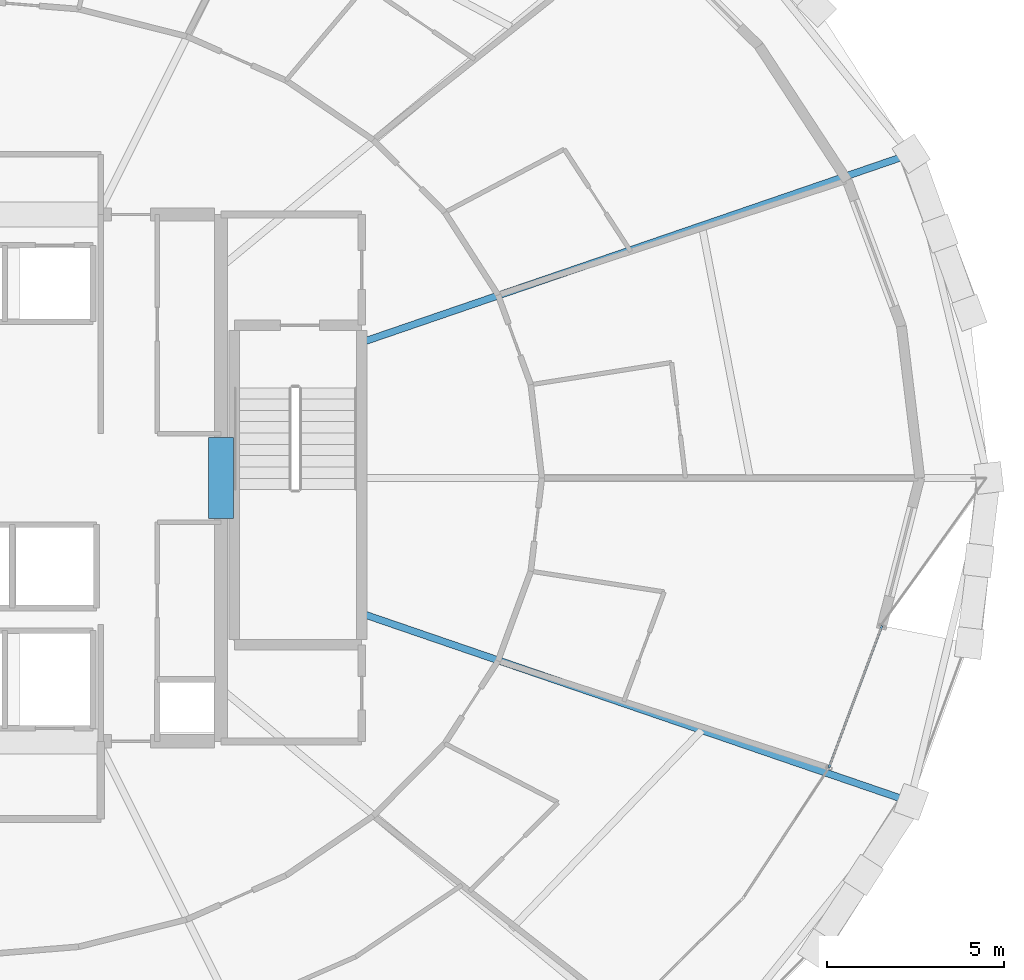
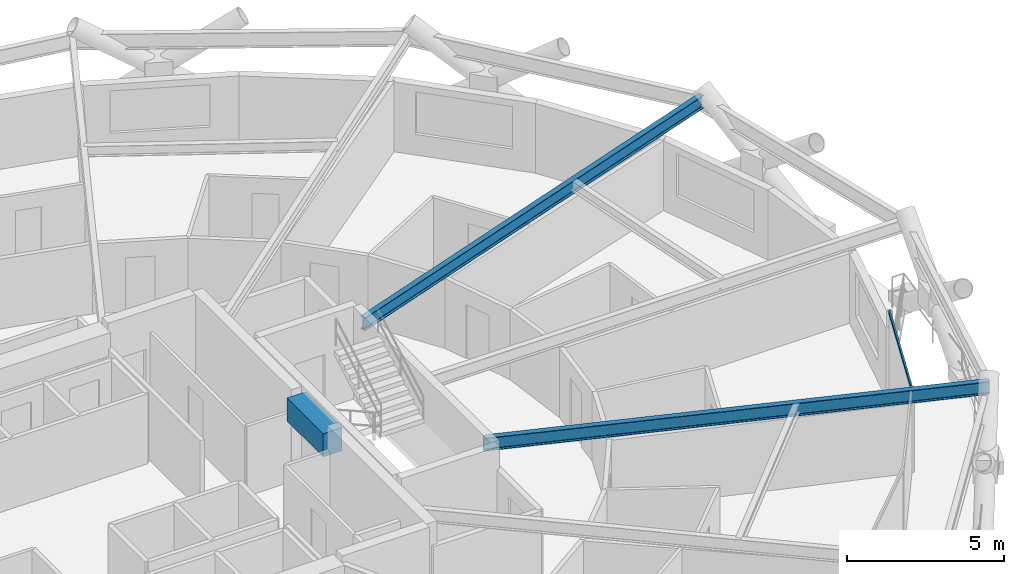
# One storey, part 10 of 21: 3 beams, 1 member, 1 element without a shape of its own.
"""IFC4 building model written with IfcOpenShell, lengths in metres."""

from ifc_helpers import new_model, si_unit, direction, frame, origin, origin_2d, place, context, subcontext, project, spatial, rectangle, hollow_rectangle, i_section, extrude, material, layer, layer_set, material_profile, profile_set, type_object, element, aggregate, save


model = new_model("IFC4")

# Units and contexts
model_context = context("Model", 3, precision=1e-05, world=origin(), true_north=direction((0.0, 1.0)))
body_context = subcontext(model_context, "Body", "Model", "MODEL_VIEW")
ifc_project = project(units=[si_unit("LENGTHUNIT", "METRE"), si_unit("AREAUNIT", "SQUARE_METRE"), si_unit("VOLUMEUNIT", "CUBIC_METRE"), si_unit("PLANEANGLEUNIT", "RADIAN"), si_unit("MASSUNIT", "GRAM", prefix="KILO")], contexts=[model_context])

# Site, building, storey
site_placement = place(None, origin())
site = spatial("IfcSite", under=ifc_project, at=site_placement, CompositionType="ELEMENT")
building_placement = place(site_placement, origin())
building = spatial("IfcBuilding", under=site, at=building_placement, Name="Veldorina Hangang Commons", CompositionType="ELEMENT")
storey_placement = place(building_placement, frame((0.0, 0.0, 91.60009765625)))
storey = spatial("IfcBuildingStorey", under=building, at=storey_placement, Name="L23", CompositionType="ELEMENT", Elevation=91.60009765625)

# Beams
ifc_material_1 = material(Name="Concrete C70/85", Category="concrete")
ifc_material_profile_1 = material_profile(ifc_material_1, rectangle(XDim=0.699951171875, YDim=0.89990234375, at=origin_2d()), Name="RC-CB-700x900")
ifc_profile_set_1 = profile_set([ifc_material_profile_1], Name="Concrete C70/85")
beam_type_1 = type_object("IfcBeamType", Name="BM-CB900", PredefinedType="LINTEL", material=ifc_profile_set_1)
beam_placement = place(storey_placement, frame((39.199951171875, 22.85009765625, 2.889892578125), z_axis=(0.0, 1.0, 0.0), x_axis=(-1.0, 0.0, 0.0)))
element("IfcBeam", 1, at=beam_placement, inside=storey, type_object=beam_type_1, Name="L23 E core coupling lintel beam", PredefinedType="LINTEL", context=body_context, shape_type="SweptSolid", body=[
    extrude(rectangle(XDim=0.699951171875, YDim=0.89990234375, at=origin_2d()), origin(), (0.0, 0.0, 1.0), 2.2998046875),
])
ifc_material_2 = material(Name="Steel SM420-TMC", Category="steel")
ifc_material_profile_2 = material_profile(ifc_material_2, i_section(OverallWidth=0.199951171875, OverallDepth=0.5, WebThickness=0.010009765625, FlangeThickness=0.01611328125, FilletRadius=0.01611328125, at=origin_2d()), Name="H-500x200x10x16")
ifc_profile_set_2 = profile_set([ifc_material_profile_2], Name="Steel SM420-TMC")
beam_type_2 = type_object("IfcBeamType", Name="BM-FG500", PredefinedType="BEAM", material=ifc_profile_set_2)
for number, where, z_axis, x_axis, name in (
    (2, (43.179931640625, 27.834716796875, 3.08984375), (0.94590888505, 0.324432398479, 0.0), (-0.324432398479, 0.94590888505, 0.0), "L23 radial floor girder 02"),
    (3, (43.179931640625, 20.165283203125, 3.08984375), (0.94590888505, -0.324432398479, 0.0), (0.324432398479, 0.94590888505, 0.0), "L23 radial floor girder 16"),
):
    element("IfcBeam", number, at=place(storey_placement, frame(where, z_axis=z_axis, x_axis=x_axis)), inside=storey, type_object=beam_type_2, Name=name, PredefinedType="BEAM", context=body_context, shape_type="SweptSolid", body=[
        extrude(i_section(OverallWidth=0.199951171875, OverallDepth=0.5, WebThickness=0.010009765625, FlangeThickness=0.01611328125, FilletRadius=0.01611328125, at=origin_2d()), origin(), (0.0, 0.0, 1.0), 16.40185546875),
    ])

# Curtain wall, member
ifc_material_3 = material(Name="Glass Low-E Triple IGU", Category="glass")
ifc_layer = layer(ifc_material_3, 0.179931640625)
ifc_layer_set = layer_set([ifc_layer], Name="Glass Low-E Triple IGU")
curtain_wall_type = type_object("IfcCurtainWallType", Name="CW-SYS-Z1", PredefinedType="NOTDEFINED", material=ifc_layer_set)
curtain_wall_placement = place(storey_placement, origin())
curtain_wall = element("IfcCurtainWall", 4, at=curtain_wall_placement, inside=storey, type_object=curtain_wall_type, Name="L23 unitised curtain wall CW-L23-R2", PredefinedType="NOTDEFINED")
ifc_material_4 = material(Name="Aluminium Anodized AA6063-T6", Category="aluminium")
ifc_material_profile_3 = material_profile(ifc_material_4, hollow_rectangle(XDim=0.06005859375, YDim=0.139892578125, WallThickness=0.00341796875, at=origin_2d()), Name="ALU-RHS-140x60x3.5")
ifc_profile_set_3 = profile_set([ifc_material_profile_3], Name="Aluminium Anodized AA6063-T6")
member_type = type_object("IfcMemberType", Name="CW-TRN-140", PredefinedType="USERDEFINED", material=ifc_profile_set_3)
member_placement = place(storey_placement, frame((56.391845703125, 15.801025390625, 3.260009765625), z_axis=(0.350144309041, 0.936695768564, 0.0), x_axis=(-0.936695768564, 0.350144309041, 0.0)))
member = element("IfcMember", 5, at=member_placement, type_object=member_type, Name="CW-L23-R2 facet 5 transom 1", ObjectType="TRANSOM", PredefinedType="USERDEFINED", context=body_context, shape_type="SweptSolid", body=[
    extrude(hollow_rectangle(XDim=0.06005859375, YDim=0.139892578125, WallThickness=0.00341796875, at=origin_2d()), origin(), (0.0, 0.0, 1.0), 4.291015625),
])
aggregate(curtain_wall, [member])

save(model, "model.ifc")
